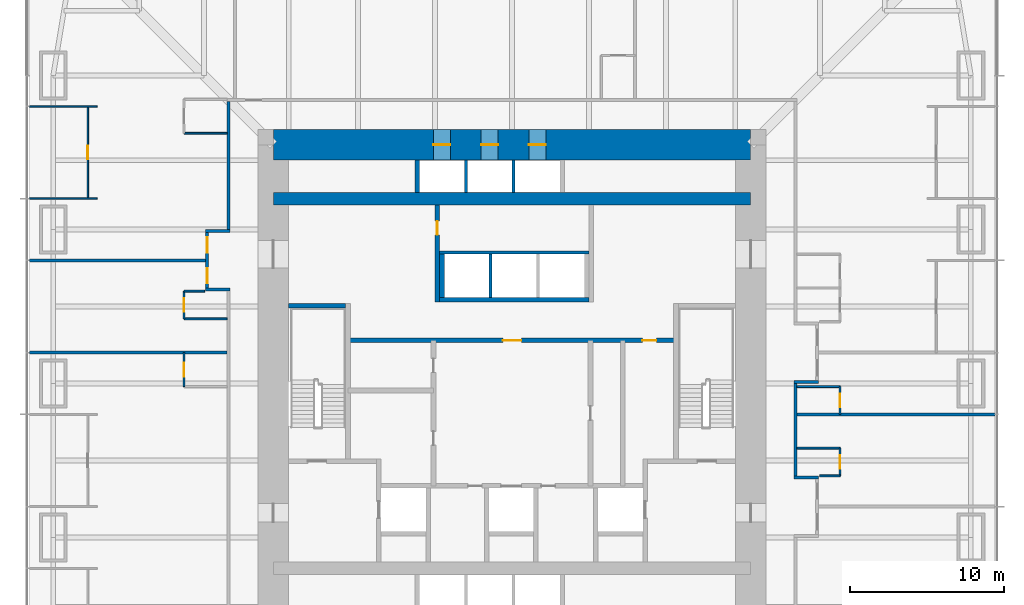
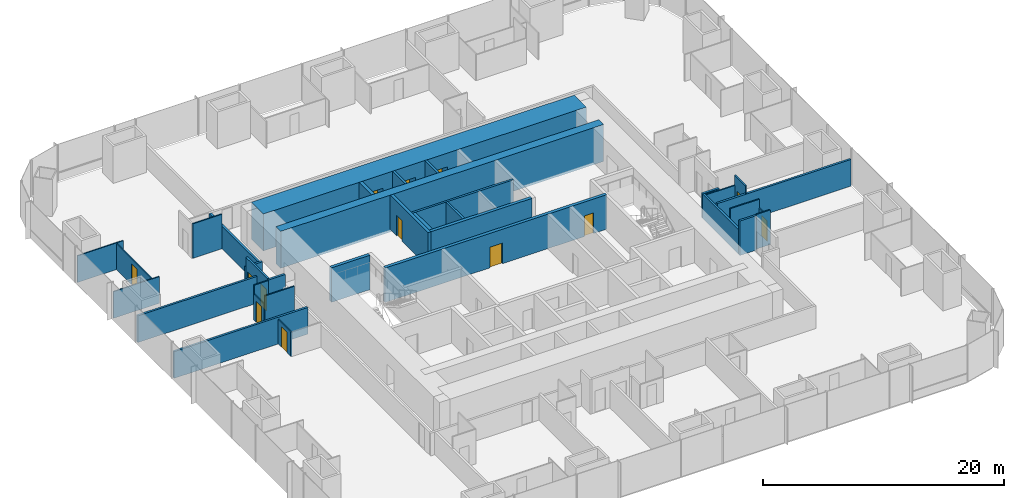
# One storey, part 14 of 17: 35 walls, 13 doors, 13 openings.
"""IFC4 building model written with IfcOpenShell, lengths in metres."""

import ifcopenshell
import ifcopenshell.guid

model = None  # the IFC model being written
_history = None  # IfcOwnerHistory: only IFC2X3 demands one
_inside = {}  # id of a spatial element -> (the spatial element, [elements in it])
_under = {}  # id of a project, library or spatial element -> (it, [spatial elements below it])
_declared = {}  # id of a project -> (the project, [libraries it declares])
_typed = {}  # id of a type object -> (the type object, [elements of that type])
_made_of = {}  # id of a material, layer set ... -> (it, [elements and type objects made of it])


def new_model(schema):
    """Start an empty IFC model of exactly this schema.

    Asked for "IFC4X3", IfcOpenShell would pick the latest addendum, in which some entities
    have other attributes; the version numbers below select the first issue.
    IFC2X3 requires an IfcOwnerHistory on every rooted entity: one is made here for all.
    """
    global model, _history
    if schema == "IFC4X3":
        model = ifcopenshell.file(schema_version=(4, 3, 0, 0))
    else:
        model = ifcopenshell.file(schema=schema)
    _inside.clear()
    _under.clear()
    _declared.clear()
    _typed.clear()
    _made_of.clear()
    _history = None
    if model.schema == "IFC2X3":
        org = make("IfcOrganization", Name="unknown")
        user = make(
            "IfcPersonAndOrganization",
            ThePerson=make("IfcPerson", FamilyName="unknown"),
            TheOrganization=org,
        )
        app = make(
            "IfcApplication",
            ApplicationDeveloper=org,
            Version="unknown",
            ApplicationFullName="unknown",
            ApplicationIdentifier="unknown",
        )
        _history = make(
            "IfcOwnerHistory",
            OwningUser=user,
            OwningApplication=app,
            ChangeAction="ADDED",
            CreationDate=0,
        )
    return model


def make(cls, **values):
    """One entity of the class cls with the attributes given. An attribute that is None is left unset."""
    return model.create_entity(
        cls, **{name: value for name, value in values.items() if value is not None}
    )


def rooted(cls, **values):
    """An entity with a GlobalId (a new one), such as an element, a storey or a relation."""
    return make(cls, GlobalId=ifcopenshell.guid.new(), OwnerHistory=_history, **values)


def si_unit(unit_type, name, prefix=None):
    """IfcSIUnit, for example si_unit("LENGTHUNIT", "METRE", prefix="MILLI")."""
    return make("IfcSIUnit", UnitType=unit_type, Prefix=prefix, Name=name)


def assignment(units):
    """IfcUnitAssignment: the units of a project."""
    return None if units is None else make("IfcUnitAssignment", Units=units)


def point(xyz):
    """IfcCartesianPoint."""
    return None if xyz is None else make("IfcCartesianPoint", Coordinates=xyz)


def direction(xyz):
    """IfcDirection."""
    return None if xyz is None else make("IfcDirection", DirectionRatios=xyz)


def frame(location, z_axis=None, x_axis=None):
    """IfcAxis2Placement3D, a coordinate frame: its origin and axes. An axis left out is left unset."""
    return make(
        "IfcAxis2Placement3D",
        Location=point(location),
        Axis=direction(z_axis),
        RefDirection=direction(x_axis),
    )


def frame_2d(location, x_axis=None):
    """IfcAxis2Placement2D, a coordinate frame in the plane: its origin and x axis."""
    return make(
        "IfcAxis2Placement2D", Location=point(location), RefDirection=direction(x_axis)
    )


def origin():
    """The frame at (0, 0, 0) with its axes left unset."""
    return frame((0.0, 0.0, 0.0))


def place(relative_to, where):
    """IfcLocalPlacement: puts the frame where relative to a parent placement (None: the world)."""
    return make(
        "IfcLocalPlacement", PlacementRelTo=relative_to, RelativePlacement=where
    )


def context(
    kind, dimensions, precision=None, world=None, true_north=None, identifier=None
):
    """IfcGeometricRepresentationContext, for example the 3D "Model" context."""
    return make(
        "IfcGeometricRepresentationContext",
        ContextIdentifier=identifier,
        ContextType=kind,
        CoordinateSpaceDimension=dimensions,
        Precision=precision,
        WorldCoordinateSystem=world,
        TrueNorth=true_north,
    )


def subcontext(parent, identifier, kind, view, scale=None):
    """IfcGeometricRepresentationSubContext, for example "Body" below "Model"."""
    return make(
        "IfcGeometricRepresentationSubContext",
        ContextIdentifier=identifier,
        ContextType=kind,
        ParentContext=parent,
        TargetScale=scale,
        TargetView=view,
    )


def project(units=None, contexts=None):
    """IfcProject with its units and contexts."""
    return rooted(
        "IfcProject",
        Name="project",
        RepresentationContexts=contexts,
        UnitsInContext=assignment(units),
    )


def spatial(cls, under=None, at=None, **own):
    """A site, building, storey or space (cls), placed at a placement, below another one or the project."""
    s = rooted(cls, ObjectPlacement=at, **own)
    if under is not None:
        _under.setdefault(under.id(), (under, []))[1].append(s)
    return s


def profile(cls, at=None, kind="AREA", **sizes):
    """A parametric profile (cls). Its sizes go by their IFC names, for example OverallWidth=200.0."""
    return make(cls, ProfileType=kind, Position=at, **sizes)


def rectangle(**sizes):
    """IfcRectangleProfileDef."""
    return profile("IfcRectangleProfileDef", **sizes)


def extrude(swept, where, along, depth):
    """IfcExtrudedAreaSolid: the profile swept, set in the frame where, extruded along a direction by depth."""
    return make(
        "IfcExtrudedAreaSolid",
        SweptArea=swept,
        Position=where,
        ExtrudedDirection=direction(along),
        Depth=depth,
    )


def shape(context_of_items, identifier, shape_type, items):
    """IfcShapeRepresentation: the items that make up one representation, for example the "Body"."""
    return make(
        "IfcShapeRepresentation",
        ContextOfItems=context_of_items,
        RepresentationIdentifier=identifier,
        RepresentationType=shape_type,
        Items=items,
    )


def material(Name=None, Category=None):
    """IfcMaterial."""
    return make("IfcMaterial", Name=Name, Category=Category)


def layer(
    of_material, thickness, ventilated=None, Name=None, Category=None, Priority=None
):
    """IfcMaterialLayer: one layer of a wall or slab, of a material (None: an air gap)."""
    return make(
        "IfcMaterialLayer",
        Material=of_material,
        LayerThickness=thickness,
        IsVentilated=ventilated,
        Name=Name,
        Category=Category,
        Priority=Priority,
    )


def layer_set(layers, Name=None):
    """IfcMaterialLayerSet."""
    return make("IfcMaterialLayerSet", MaterialLayers=layers, LayerSetName=Name)


def made_of(thing, what):
    """Note that an element or type object is made of a material, layer set ...; save() writes the relation."""
    if what is not None:
        _made_of.setdefault(what.id(), (what, []))[1].append(thing)
    return thing


def type_object(cls, material=None, **own):
    """A type object (cls), such as IfcWallType, which elements share."""
    return made_of(rooted(cls, **own), material)


def element(
    cls,
    number,
    at=None,
    inside=None,
    cuts=None,
    type_object=None,
    material=None,
    context=None,
    identifier="Body",
    shape_type=None,
    held_by="IfcProductDefinitionShape",
    body=None,
    shapes=None,
    **own,
):
    """One element of the class cls, such as IfcWall. Its Tag is "e" and its number.

    at: its placement. inside: the storey or other place that contains it. cuts: it is an
    opening in that element (IfcRelVoidsElement). A single representation is given by context,
    identifier, shape_type and body (its items); several are given by shapes. held_by: the class
    of the entity that holds the representations. save() writes the other relations.
    """
    e = rooted(cls, Tag="e%d" % number, ObjectPlacement=at, **own)
    if body is not None:
        shapes = [shape(context, identifier, shape_type, body)]
    if shapes is not None:
        e.Representation = make(held_by, Representations=shapes)
    if inside is not None:
        _inside.setdefault(inside.id(), (inside, []))[1].append(e)
    if cuts is not None:
        rooted(
            "IfcRelVoidsElement", RelatingBuildingElement=cuts, RelatedOpeningElement=e
        )
    if type_object is not None:
        _typed.setdefault(type_object.id(), (type_object, []))[1].append(e)
    return made_of(e, material)


def fill(opening, filler):
    """IfcRelFillsElement: the door or window that sits in an opening."""
    return rooted(
        "IfcRelFillsElement",
        RelatingOpeningElement=opening,
        RelatedBuildingElement=filler,
    )


def aggregate(whole, parts):
    """IfcRelAggregates: a whole, such as a stair, and the parts it consists of."""
    return rooted("IfcRelAggregates", RelatingObject=whole, RelatedObjects=parts)


def save(model, path):
    """Write the relations noted so far, then the file.

    IfcRelAggregates (storeys below a building ...), IfcRelContainedInSpatialStructure (elements
    in a storey), IfcRelDefinesByType, IfcRelAssociatesMaterial and IfcRelDeclares: one each for
    every whole, place, type object, material and project.
    """
    for whole, parts in _under.values():
        aggregate(whole, parts)
    for where, things in _inside.values():
        rooted(
            "IfcRelContainedInSpatialStructure",
            RelatedElements=things,
            RelatingStructure=where,
        )
    for kind, things in _typed.values():
        rooted("IfcRelDefinesByType", RelatedObjects=things, RelatingType=kind)
    for what, things in _made_of.values():
        rooted("IfcRelAssociatesMaterial", RelatedObjects=things, RelatingMaterial=what)
    for by, libraries in _declared.values():
        rooted("IfcRelDeclares", RelatingContext=by, RelatedDefinitions=libraries)
    model.write(path)


model = new_model("IFC4")

# Units and contexts
model_context = context("Model", 3, precision=1e-05, world=origin(), true_north=direction((0.0, 1.0)))
body_context = subcontext(model_context, "Body", "Model", "MODEL_VIEW")
ifc_project = project(units=[si_unit("LENGTHUNIT", "METRE"), si_unit("AREAUNIT", "SQUARE_METRE"), si_unit("VOLUMEUNIT", "CUBIC_METRE"), si_unit("PLANEANGLEUNIT", "RADIAN"), si_unit("MASSUNIT", "GRAM", prefix="KILO")], contexts=[model_context])

# Site, building, storey
site_placement = place(None, origin())
site = spatial("IfcSite", under=ifc_project, at=site_placement, CompositionType="ELEMENT")
building_placement = place(site_placement, origin())
building = spatial("IfcBuilding", under=site, at=building_placement, Name="Khuree Lantern Residences", CompositionType="ELEMENT")
storey_placement = place(building_placement, frame((0.0, 0.0, 58.5)))
storey = spatial("IfcBuildingStorey", under=building, at=storey_placement, Name="L14", CompositionType="ELEMENT", Elevation=58.5)

# Wall, opening, door
ifc_material_1 = material(Name="Moisture-resistant gypsum board on steel studs", Category="steel")
ifc_layer_1 = layer(ifc_material_1, 0.125)
ifc_layer_set_1 = layer_set([ifc_layer_1], Name="BATHROOM WALL BTW125")
wall_type_1 = type_object("IfcWallType", Name="BATHROOM WALL BTW125", PredefinedType="PARTITIONING", material=ifc_layer_set_1)
wall_1_placement = place(storey_placement, frame((21.300048828125, -6.0, 0.0), z_axis=(0.0, 0.0, 1.0), x_axis=(0.0, 1.0, 0.0)))
wall_1 = element("IfcWall", 1, at=wall_1_placement, inside=storey, type_object=wall_type_1, Name="L14 BATHROOM WALL 01", PredefinedType="PARTITIONING", context=body_context, shape_type="SweptSolid", body=[
    extrude(rectangle(XDim=1.800048828125, YDim=0.125, at=frame_2d((0.89990234375, 0.0))), origin(), (0.0, 0.0, 1.0), 2.610107421875),
])
opening_1_placement = place(wall_1_placement, frame((0.449951171875, 0.0, 0.0)))
opening_1 = element("IfcOpeningElement", 2, at=opening_1_placement, cuts=wall_1, Name="Opening 14-021", PredefinedType="OPENING", context=body_context, shape_type="SweptSolid", body=[
    extrude(rectangle(XDim=0.89990234375, YDim=2.10009765625, at=frame_2d((0.449951171875, 1.050048828125))), frame((0.0, 0.072509765625, 0.0), z_axis=(0.0, -1.0, 0.0), x_axis=(1.0, 0.0, 0.0)), (0.0, 0.0, 1.0), 0.14501953125),
])
ifc_material_2 = material(Name="Timber door leaf in hardwood frame", Category="wood")
door_type_1 = type_object("IfcDoorType", Name="BATHROOM DOOR 900X2100", OperationType="SINGLE_SWING_LEFT", PredefinedType="DOOR", material=ifc_material_2)
door_1_placement = place(opening_1_placement, origin())
door_1 = element("IfcDoor", 3, at=door_1_placement, inside=storey, type_object=door_type_1, Name="Bathroom door 14-021", OperationType="SINGLE_SWING_LEFT", OverallHeight=2.10009765625, OverallWidth=0.89990234375, PredefinedType="DOOR", context=body_context, shape_type="SweptSolid", body=[
    extrude(rectangle(XDim=0.89990234375, YDim=2.10009765625, at=frame_2d((0.449951171875, 1.050048828125))), frame((0.0, 0.02490234375, 0.0), z_axis=(0.0, -1.0, 0.0), x_axis=(1.0, 0.0, 0.0)), (0.0, 0.0, 1.0), 0.050048828125),
])
fill(opening_1, door_1)

# Walls
wall_2_placement = place(storey_placement, frame((19.969970703125, -6.0, 0.0), z_axis=(0.0, 0.0, 1.0), x_axis=(1.0, 0.0, 0.0)))
element("IfcWall", 4, at=wall_2_placement, inside=storey, type_object=wall_type_1, Name="L14 BATHROOM WALL 01", PredefinedType="PARTITIONING", context=body_context, shape_type="SweptSolid", body=[
    extrude(rectangle(XDim=1.330078125, YDim=0.125, at=frame_2d((0.6650390625, 0.0))), origin(), (0.0, 0.0, 1.0), 3.5),
])
wall_3_placement = place(storey_placement, frame((18.5, -4.199951171875, 0.0), z_axis=(0.0, 0.0, 1.0), x_axis=(1.0, 0.0, 0.0)))
element("IfcWall", 5, at=wall_3_placement, inside=storey, type_object=wall_type_1, Name="L14 BATHROOM WALL 01", PredefinedType="PARTITIONING", context=body_context, shape_type="SweptSolid", body=[
    extrude(rectangle(XDim=2.800048828125, YDim=0.125, at=frame_2d((1.39990234375, 0.0))), origin(), (0.0, 0.0, 1.0), 3.5),
])

# Wall, opening, door
wall_4_placement = place(storey_placement, frame((21.300048828125, -2.0, 0.0), z_axis=(0.0, 0.0, 1.0), x_axis=(0.0, 1.0, 0.0)))
wall_4 = element("IfcWall", 6, at=wall_4_placement, inside=storey, type_object=wall_type_1, Name="L14 BATHROOM WALL 02", PredefinedType="PARTITIONING", context=body_context, shape_type="SweptSolid", body=[
    extrude(rectangle(XDim=1.800048828125, YDim=0.125, at=frame_2d((0.89990234375, 0.0))), origin(), (0.0, 0.0, 1.0), 3.5),
])
opening_2_placement = place(wall_4_placement, frame((0.449951171875, 0.0, 0.0)))
opening_2 = element("IfcOpeningElement", 7, at=opening_2_placement, cuts=wall_4, Name="Opening 14-023", PredefinedType="OPENING", context=body_context, shape_type="SweptSolid", body=[
    extrude(rectangle(XDim=0.89990234375, YDim=2.10009765625, at=frame_2d((0.449951171875, 1.050048828125))), frame((0.0, 0.072509765625, 0.0), z_axis=(0.0, -1.0, 0.0), x_axis=(1.0, 0.0, 0.0)), (0.0, 0.0, 1.0), 0.14501953125),
])
door_2_placement = place(opening_2_placement, origin())
door_2 = element("IfcDoor", 8, at=door_2_placement, inside=storey, type_object=door_type_1, Name="Bathroom door 14-023", OperationType="SINGLE_SWING_LEFT", OverallHeight=2.10009765625, OverallWidth=0.89990234375, PredefinedType="DOOR", context=body_context, shape_type="SweptSolid", body=[
    extrude(rectangle(XDim=0.89990234375, YDim=2.10009765625, at=frame_2d((0.449951171875, 1.050048828125))), frame((0.0, 0.02490234375, 0.0), z_axis=(0.0, -1.0, 0.0), x_axis=(1.0, 0.0, 0.0)), (0.0, 0.0, 1.0), 0.050048828125),
])
fill(opening_2, door_2)

# Walls
wall_5_placement = place(storey_placement, frame((18.5, -0.199951171875, 0.0), z_axis=(0.0, 0.0, 1.0), x_axis=(1.0, 0.0, 0.0)))
element("IfcWall", 9, at=wall_5_placement, inside=storey, type_object=wall_type_1, Name="L14 BATHROOM WALL 02", PredefinedType="PARTITIONING", context=body_context, shape_type="SweptSolid", body=[
    extrude(rectangle(XDim=2.800048828125, YDim=0.125, at=frame_2d((1.39990234375, 0.0))), origin(), (0.0, 0.0, 1.0), 2.491943359375),
])
wall_6_placement = place(storey_placement, frame((-18.5, 16.25, 0.0), z_axis=(0.0, 0.0, 1.0), x_axis=(-1.0, 0.0, 0.0)))
element("IfcWall", 10, at=wall_6_placement, inside=storey, type_object=wall_type_1, Name="L14 BATHROOM WALL 05", PredefinedType="PARTITIONING", context=body_context, shape_type="SweptSolid", body=[
    extrude(rectangle(XDim=2.800048828125, YDim=0.125, at=frame_2d((1.39990234375, 0.0))), origin(), (0.0, 0.0, 1.0), 3.5),
])

# Wall, opening, door
wall_7_placement = place(storey_placement, frame((-21.300048828125, 6.0, 0.0), z_axis=(0.0, 0.0, 1.0), x_axis=(0.0, -1.0, 0.0)))
wall_7 = element("IfcWall", 11, at=wall_7_placement, inside=storey, type_object=wall_type_1, Name="L14 BATHROOM WALL 06", PredefinedType="PARTITIONING", context=body_context, shape_type="SweptSolid", body=[
    extrude(rectangle(XDim=1.800048828125, YDim=0.125, at=frame_2d((0.89990234375, 0.0))), origin(), (0.0, 0.0, 1.0), 2.610107421875),
])
opening_3_placement = place(wall_7_placement, frame((0.449951171875, 0.0, 0.0)))
opening_3 = element("IfcOpeningElement", 12, at=opening_3_placement, cuts=wall_7, Name="Opening 14-039", PredefinedType="OPENING", context=body_context, shape_type="SweptSolid", body=[
    extrude(rectangle(XDim=0.89990234375, YDim=2.10009765625, at=frame_2d((0.449951171875, 1.050048828125))), frame((0.0, 0.072509765625, 0.0), z_axis=(0.0, -1.0, 0.0), x_axis=(1.0, 0.0, 0.0)), (0.0, 0.0, 1.0), 0.14501953125),
])
door_3_placement = place(opening_3_placement, origin())
door_3 = element("IfcDoor", 13, at=door_3_placement, inside=storey, type_object=door_type_1, Name="Bathroom door 14-039", OperationType="SINGLE_SWING_LEFT", OverallHeight=2.10009765625, OverallWidth=0.89990234375, PredefinedType="DOOR", context=body_context, shape_type="SweptSolid", body=[
    extrude(rectangle(XDim=0.89990234375, YDim=2.10009765625, at=frame_2d((0.449951171875, 1.050048828125))), frame((0.0, 0.02490234375, 0.0), z_axis=(0.0, -1.0, 0.0), x_axis=(1.0, 0.0, 0.0)), (0.0, 0.0, 1.0), 0.050048828125),
])
fill(opening_3, door_3)

# Walls
wall_8_placement = place(storey_placement, frame((-19.969970703125, 6.0, 0.0), z_axis=(0.0, 0.0, 1.0), x_axis=(-1.0, 0.0, 0.0)))
element("IfcWall", 14, at=wall_8_placement, inside=storey, type_object=wall_type_1, Name="L14 BATHROOM WALL 06", PredefinedType="PARTITIONING", context=body_context, shape_type="SweptSolid", body=[
    extrude(rectangle(XDim=1.330078125, YDim=0.125, at=frame_2d((0.6650390625, 0.0))), origin(), (0.0, 0.0, 1.0), 3.5),
])
wall_9_placement = place(storey_placement, frame((-18.5, 4.199951171875, 0.0), z_axis=(0.0, 0.0, 1.0), x_axis=(-1.0, 0.0, 0.0)))
element("IfcWall", 15, at=wall_9_placement, inside=storey, type_object=wall_type_1, Name="L14 BATHROOM WALL 06", PredefinedType="PARTITIONING", context=body_context, shape_type="SweptSolid", body=[
    extrude(rectangle(XDim=2.800048828125, YDim=0.125, at=frame_2d((1.39990234375, 0.0))), origin(), (0.0, 0.0, 1.0), 3.5),
])

# Wall, opening, door
wall_10_placement = place(storey_placement, frame((-21.300048828125, 2.0, 0.0), z_axis=(0.0, 0.0, 1.0), x_axis=(0.0, -1.0, 0.0)))
wall_10 = element("IfcWall", 16, at=wall_10_placement, inside=storey, type_object=wall_type_1, Name="L14 BATHROOM WALL 07", PredefinedType="PARTITIONING", context=body_context, shape_type="SweptSolid", body=[
    extrude(rectangle(XDim=2.199951171875, YDim=0.125, at=frame_2d((1.10009765625, 0.0))), origin(), (0.0, 0.0, 1.0), 2.491943359375),
])
opening_4_placement = place(wall_10_placement, frame((0.64990234375, 0.0, 0.0)))
opening_4 = element("IfcOpeningElement", 17, at=opening_4_placement, cuts=wall_10, Name="Opening 14-043", PredefinedType="OPENING", context=body_context, shape_type="SweptSolid", body=[
    extrude(rectangle(XDim=0.89990234375, YDim=2.10009765625, at=frame_2d((0.449951171875, 1.050048828125))), frame((0.0, 0.072509765625, 0.0), z_axis=(0.0, -1.0, 0.0), x_axis=(1.0, 0.0, 0.0)), (0.0, 0.0, 1.0), 0.14501953125),
])
door_4_placement = place(opening_4_placement, origin())
door_4 = element("IfcDoor", 18, at=door_4_placement, inside=storey, type_object=door_type_1, Name="Bathroom door 14-043", OperationType="SINGLE_SWING_LEFT", OverallHeight=2.10009765625, OverallWidth=0.89990234375, PredefinedType="DOOR", context=body_context, shape_type="SweptSolid", body=[
    extrude(rectangle(XDim=0.89990234375, YDim=2.10009765625, at=frame_2d((0.449951171875, 1.050048828125))), frame((0.0, 0.02490234375, 0.0), z_axis=(0.0, -1.0, 0.0), x_axis=(1.0, 0.0, 0.0)), (0.0, 0.0, 1.0), 0.050048828125),
])
fill(opening_4, door_4)

# Walls
ifc_material_3 = material(Name="Dense concrete blockwork", Category="masonry")
ifc_layer_2 = layer(ifc_material_3, 0.300048828125)
ifc_layer_set_2 = layer_set([ifc_layer_2], Name="CORE PARTITION WALL CPW300 EI 120")
wall_type_2 = type_object("IfcWallType", Name="CORE PARTITION WALL CPW300 EI 120", PredefinedType="PARTITIONING", material=ifc_layer_set_2)
wall_11_placement = place(storey_placement, frame((-4.699951171875, 5.449951171875, 0.0), z_axis=(0.0, 0.0, 1.0), x_axis=(1.0, 0.0, 0.0)))
element("IfcWall", 19, at=wall_11_placement, inside=storey, type_object=wall_type_2, Name="L14 CORE WALL PHS", PredefinedType="PARTITIONING", context=body_context, shape_type="SweptSolid", body=[
    extrude(rectangle(XDim=9.699951171875, YDim=0.300048828125, at=frame_2d((4.85009765625, 0.0))), origin(), (0.0, 0.0, 1.0), 3.5),
])
wall_12_placement = place(storey_placement, frame((-4.550048828125, 5.60009765625, 0.0), z_axis=(0.0, 0.0, 1.0), x_axis=(0.0, 1.0, 0.0)))
element("IfcWall", 20, at=wall_12_placement, inside=storey, type_object=wall_type_2, Name="L14 CORE WALL PHW", PredefinedType="PARTITIONING", context=body_context, shape_type="SweptSolid", body=[
    extrude(rectangle(XDim=2.7998046875, YDim=0.300048828125, at=frame_2d((1.39990234375, 0.0))), origin(), (0.0, 0.0, 1.0), 3.5),
])
wall_13_placement = place(storey_placement, frame((-6.14990234375, 12.39990234375, 0.0), z_axis=(0.0, 0.0, 1.0), x_axis=(0.0, 1.0, 0.0)))
element("IfcWall", 21, at=wall_13_placement, inside=storey, type_object=wall_type_2, Name="L14 CORE WALL PLW", PredefinedType="PARTITIONING", context=body_context, shape_type="SweptSolid", body=[
    extrude(rectangle(XDim=2.10009765625, YDim=0.300048828125, at=frame_2d((1.050048828125, 0.0))), origin(), (0.0, 0.0, 1.0), 3.5),
])

# Wall, openings, doors
wall_14_placement = place(storey_placement, frame((-10.64990234375, 2.800048828125, 0.0), z_axis=(0.0, 0.0, 1.0), x_axis=(1.0, 0.0, 0.0)))
wall_14 = element("IfcWall", 22, at=wall_14_placement, inside=storey, type_object=wall_type_2, Name="L14 CORE WALL LLS", PredefinedType="PARTITIONING", context=body_context, shape_type="SweptSolid", body=[
    extrude(rectangle(XDim=21.2998046875, YDim=0.300048828125, at=frame_2d((10.64990234375, 0.0))), origin(), (0.0, 0.0, 1.0), 3.5),
])
opening_5_placement = place(wall_14_placement, frame((10.050048828125, 0.0, 0.0)))
opening_5 = element("IfcOpeningElement", 23, at=opening_5_placement, cuts=wall_14, Name="Opening 14-013", PredefinedType="OPENING", context=body_context, shape_type="SweptSolid", body=[
    extrude(rectangle(XDim=1.199951171875, YDim=2.10009765625, at=frame_2d((0.60009765625, 1.050048828125))), frame((0.0, 0.16015625, 0.0), z_axis=(0.0, -1.0, 0.0), x_axis=(1.0, 0.0, 0.0)), (0.0, 0.0, 1.0), 0.320068359375),
])
opening_6_placement = place(wall_14_placement, frame((19.12109375, 0.0, 0.0)))
opening_6 = element("IfcOpeningElement", 24, at=opening_6_placement, cuts=wall_14, Name="Opening 14-019", PredefinedType="OPENING", context=body_context, shape_type="SweptSolid", body=[
    extrude(rectangle(XDim=0.89990234375, YDim=2.10009765625, at=frame_2d((0.449951171875, 1.050048828125))), frame((0.0, 0.16015625, 0.0), z_axis=(0.0, -1.0, 0.0), x_axis=(1.0, 0.0, 0.0)), (0.0, 0.0, 1.0), 0.320068359375),
])
ifc_material_4 = material(Name="Steel door leaf in steel frame", Category="steel")
door_type_2 = type_object("IfcDoorType", Name="DOOR 1200X2100 EI 60", OperationType="SINGLE_SWING_LEFT", PredefinedType="DOOR", material=ifc_material_4)
door_5_placement = place(opening_5_placement, origin())
door_5 = element("IfcDoor", 25, at=door_5_placement, inside=storey, type_object=door_type_2, Name="Service lift lobby door 14-013", OperationType="SINGLE_SWING_LEFT", OverallHeight=2.10009765625, OverallWidth=1.199951171875, PredefinedType="DOOR", context=body_context, shape_type="SweptSolid", body=[
    extrude(rectangle(XDim=1.199951171875, YDim=2.10009765625, at=frame_2d((0.60009765625, 1.050048828125))), frame((0.0, 0.02490234375, 0.0), z_axis=(0.0, -1.0, 0.0), x_axis=(1.0, 0.0, 0.0)), (0.0, 0.0, 1.0), 0.050048828125),
])
fill(opening_5, door_5)
door_type_3 = type_object("IfcDoorType", Name="DOOR 900X2100 RIGHT HAND", OperationType="SINGLE_SWING_RIGHT", PredefinedType="DOOR", material=ifc_material_2)
door_6_placement = place(opening_6_placement, origin())
door_6 = element("IfcDoor", 26, at=door_6_placement, inside=storey, type_object=door_type_3, Name="Residents' store door 14-019", OperationType="SINGLE_SWING_RIGHT", OverallHeight=2.10009765625, OverallWidth=0.89990234375, PredefinedType="DOOR", context=body_context, shape_type="SweptSolid", body=[
    extrude(rectangle(XDim=0.89990234375, YDim=2.10009765625, at=frame_2d((0.449951171875, 1.050048828125))), frame((0.0, 0.02490234375, 0.0), z_axis=(0.0, -1.0, 0.0), x_axis=(1.0, 0.0, 0.0)), (0.0, 0.0, 1.0), 0.050048828125),
])
fill(opening_6, door_6)

# Wall, opening, door
wall_15_placement = place(storey_placement, frame((-4.85009765625, 5.300048828125, 0.0), z_axis=(0.0, 0.0, 1.0), x_axis=(0.0, 1.0, 0.0)))
wall_15 = element("IfcWall", 27, at=wall_15_placement, inside=storey, type_object=wall_type_2, Name="L14 CORE WALL NW", PredefinedType="PARTITIONING", context=body_context, shape_type="SweptSolid", body=[
    extrude(rectangle(XDim=6.300048828125, YDim=0.300048828125, at=frame_2d((3.14990234375, 0.0))), origin(), (0.0, 0.0, 1.0), 3.5),
])
opening_7_placement = place(wall_15_placement, frame((4.35009765625, 0.0, 0.0)))
opening_7 = element("IfcOpeningElement", 28, at=opening_7_placement, cuts=wall_15, Name="Opening 14-020", PredefinedType="OPENING", context=body_context, shape_type="SweptSolid", body=[
    extrude(rectangle(XDim=0.89990234375, YDim=2.10009765625, at=frame_2d((0.449951171875, 1.050048828125))), frame((0.0, 0.16015625, 0.0), z_axis=(0.0, -1.0, 0.0), x_axis=(1.0, 0.0, 0.0)), (0.0, 0.0, 1.0), 0.320068359375),
])
door_7_placement = place(opening_7_placement, origin())
door_7 = element("IfcDoor", 29, at=door_7_placement, inside=storey, type_object=door_type_3, Name="Residents' store door 14-020", OperationType="SINGLE_SWING_RIGHT", OverallHeight=2.10009765625, OverallWidth=0.89990234375, PredefinedType="DOOR", context=body_context, shape_type="SweptSolid", body=[
    extrude(rectangle(XDim=0.89990234375, YDim=2.10009765625, at=frame_2d((0.449951171875, 1.050048828125))), frame((0.0, 0.02490234375, 0.0), z_axis=(0.0, -1.0, 0.0), x_axis=(1.0, 0.0, 0.0)), (0.0, 0.0, 1.0), 0.050048828125),
])
fill(opening_7, door_7)

# Walls
ifc_material_5 = material(Name="Gypsum board on steel studs", Category="steel")
ifc_layer_3 = layer(ifc_material_5, 0.199951171875)
ifc_layer_set_3 = layer_set([ifc_layer_3], Name="CORRIDOR WALL CRW200 EI 60")
wall_type_3 = type_object("IfcWallType", Name="CORRIDOR WALL CRW200 EI 60", PredefinedType="PARTITIONING", material=ifc_layer_set_3)
wall_16_placement = place(storey_placement, frame((18.300048828125, -6.10009765625, 0.0), z_axis=(0.0, 0.0, 1.0), x_axis=(1.0, 0.0, 0.0)))
element("IfcWall", 30, at=wall_16_placement, inside=storey, type_object=wall_type_3, Name="L14 CORRIDOR ALCOVE WALL EAST", PredefinedType="PARTITIONING", context=body_context, shape_type="SweptSolid", body=[
    extrude(rectangle(XDim=1.599853515625, YDim=0.199951171875, at=frame_2d((0.7998046875, 0.0))), origin(), (0.0, 0.0, 1.0), 3.5),
])
wall_17_placement = place(storey_placement, frame((18.39990234375, -6.0, 0.0), z_axis=(0.0, 0.0, 1.0), x_axis=(0.0, 1.0, 0.0)))
element("IfcWall", 31, at=wall_17_placement, inside=storey, type_object=wall_type_3, Name="L14 CORRIDOR WALL EAST 2", PredefinedType="PARTITIONING", context=body_context, shape_type="SweptSolid", body=[
    extrude(rectangle(XDim=6.0, YDim=0.199951171875, at=frame_2d((3.0, 0.0))), origin(), (0.0, 0.0, 1.0), 2.491943359375),
])
wall_18_placement = place(storey_placement, frame((18.300048828125, 0.10009765625, 0.0), z_axis=(0.0, 0.0, 1.0), x_axis=(1.0, 0.0, 0.0)))
element("IfcWall", 32, at=wall_18_placement, inside=storey, type_object=wall_type_3, Name="L14 CORRIDOR ALCOVE WALL EAST", PredefinedType="PARTITIONING", context=body_context, shape_type="SweptSolid", body=[
    extrude(rectangle(XDim=1.599853515625, YDim=0.199951171875, at=frame_2d((0.7998046875, 0.0))), origin(), (0.0, 0.0, 1.0), 2.491943359375),
])
wall_19_placement = place(storey_placement, frame((-18.39990234375, 18.300048828125, 0.0), z_axis=(0.0, 0.0, 1.0), x_axis=(0.0, -1.0, 0.0)))
element("IfcWall", 33, at=wall_19_placement, inside=storey, type_object=wall_type_3, Name="L14 CORRIDOR WALL WEST 1", PredefinedType="PARTITIONING", context=body_context, shape_type="SweptSolid", body=[
    extrude(rectangle(XDim=8.300048828125, YDim=0.199951171875, at=frame_2d((4.14990234375, 0.0))), origin(), (0.0, 0.0, 1.0), 2.300048828125),
])
wall_20_placement = place(storey_placement, frame((-18.300048828125, 9.89990234375, 0.0), z_axis=(0.0, 0.0, 1.0), x_axis=(-1.0, 0.0, 0.0)))
element("IfcWall", 34, at=wall_20_placement, inside=storey, type_object=wall_type_3, Name="L14 CORRIDOR ALCOVE WALL WEST", PredefinedType="PARTITIONING", context=body_context, shape_type="SweptSolid", body=[
    extrude(rectangle(XDim=1.599853515625, YDim=0.199951171875, at=frame_2d((0.7998046875, 0.0))), origin(), (0.0, 0.0, 1.0), 2.491943359375),
])
wall_21_placement = place(storey_placement, frame((-18.300048828125, 6.10009765625, 0.0), z_axis=(0.0, 0.0, 1.0), x_axis=(-1.0, 0.0, 0.0)))
element("IfcWall", 35, at=wall_21_placement, inside=storey, type_object=wall_type_3, Name="L14 CORRIDOR ALCOVE WALL WEST", PredefinedType="PARTITIONING", context=body_context, shape_type="SweptSolid", body=[
    extrude(rectangle(XDim=1.599853515625, YDim=0.199951171875, at=frame_2d((0.7998046875, 0.0))), origin(), (0.0, 0.0, 1.0), 3.5),
])

# Wall, openings, doors
wall_22_placement = place(storey_placement, frame((-19.800048828125, 9.800048828125, 0.0), z_axis=(0.0, 0.0, 1.0), x_axis=(0.0, -1.0, 0.0)))
wall_22 = element("IfcWall", 36, at=wall_22_placement, inside=storey, type_object=wall_type_3, Name="L14 CORRIDOR ALCOVE WALL WEST", PredefinedType="PARTITIONING", context=body_context, shape_type="SweptSolid", body=[
    extrude(rectangle(XDim=3.60009765625, YDim=0.199951171875, at=frame_2d((1.800048828125, 0.0))), origin(), (0.0, 0.0, 1.0), 3.5),
])
opening_8_placement = place(wall_22_placement, frame((0.300048828125, 0.0, 0.0)))
opening_8 = element("IfcOpeningElement", 37, at=opening_8_placement, cuts=wall_22, Name="Opening 14-038", PredefinedType="OPENING", context=body_context, shape_type="SweptSolid", body=[
    extrude(rectangle(XDim=1.0, YDim=2.199951171875, at=frame_2d((0.5, 1.10009765625))), frame((0.0, 0.10986328125, 0.0), z_axis=(0.0, -1.0, 0.0), x_axis=(1.0, 0.0, 0.0)), (0.0, 0.0, 1.0), 0.219970703125),
])
opening_9_placement = place(wall_22_placement, frame((2.300048828125, 0.0, 0.0)))
opening_9 = element("IfcOpeningElement", 38, at=opening_9_placement, cuts=wall_22, Name="Opening 14-040", PredefinedType="OPENING", context=body_context, shape_type="SweptSolid", body=[
    extrude(rectangle(XDim=1.0, YDim=2.199951171875, at=frame_2d((0.5, 1.10009765625))), frame((0.0, 0.10986328125, 0.0), z_axis=(0.0, -1.0, 0.0), x_axis=(1.0, 0.0, 0.0)), (0.0, 0.0, 1.0), 0.219970703125),
])
door_type_4 = type_object("IfcDoorType", Name="APARTMENT ENTRANCE DOOR 1000X2200 EI 30S", OperationType="SINGLE_SWING_LEFT", PredefinedType="DOOR", material=ifc_material_2)
door_8_placement = place(opening_8_placement, origin())
door_8 = element("IfcDoor", 39, at=door_8_placement, inside=storey, type_object=door_type_4, Name="Apartment 05 entrance door 14-038", OperationType="SINGLE_SWING_LEFT", OverallHeight=2.199951171875, OverallWidth=1.0, PredefinedType="DOOR", context=body_context, shape_type="SweptSolid", body=[
    extrude(rectangle(XDim=1.0, YDim=2.199951171875, at=frame_2d((0.5, 1.10009765625))), frame((0.0, 0.02490234375, 0.0), z_axis=(0.0, -1.0, 0.0), x_axis=(1.0, 0.0, 0.0)), (0.0, 0.0, 1.0), 0.050048828125),
])
fill(opening_8, door_8)
door_type_5 = type_object("IfcDoorType", Name="APARTMENT ENTRANCE DOOR 1000X2200 EI 30S RIGHT HAND", OperationType="SINGLE_SWING_RIGHT", PredefinedType="DOOR", material=ifc_material_2)
door_9_placement = place(opening_9_placement, origin())
door_9 = element("IfcDoor", 40, at=door_9_placement, inside=storey, type_object=door_type_5, Name="Apartment 06 entrance door 14-040", OperationType="SINGLE_SWING_RIGHT", OverallHeight=2.199951171875, OverallWidth=1.0, PredefinedType="DOOR", context=body_context, shape_type="SweptSolid", body=[
    extrude(rectangle(XDim=1.0, YDim=2.199951171875, at=frame_2d((0.5, 1.10009765625))), frame((0.0, 0.02490234375, 0.0), z_axis=(0.0, -1.0, 0.0), x_axis=(1.0, 0.0, 0.0)), (0.0, 0.0, 1.0), 0.050048828125),
])
fill(opening_9, door_9)

ifc_material_6 = material(Name="Concrete C70/85", Category="concrete")
ifc_layer_4 = layer(ifc_material_6, 2.0)
ifc_layer_set_4 = layer_set([ifc_layer_4], Name="CW2000-C70 CORE WALL C70 2000")
wall_type_4 = type_object("IfcWallType", Name="CW2000-C70 CORE WALL C70 2000", PredefinedType="SHEAR", material=ifc_layer_set_4)
wall_23_placement = place(storey_placement, frame((-15.5, 15.5, -0.25), z_axis=(0.0, 0.0, 1.0), x_axis=(1.0, 0.0, 0.0)))
wall_23 = element("IfcWall", 41, at=wall_23_placement, inside=storey, type_object=wall_type_4, Name="Core wall N", PredefinedType="SHEAR", context=body_context, shape_type="SweptSolid", body=[
    extrude(rectangle(XDim=31.0, YDim=2.0, at=frame_2d((15.5, 0.0))), origin(), (0.0, 0.0, 1.0), 3.75),
])
opening_10_placement = place(wall_23_placement, frame((10.39990234375, 0.0, 0.25)))
opening_10 = element("IfcOpeningElement", 42, at=opening_10_placement, cuts=wall_23, Name="Opening 14-009", PredefinedType="OPENING", context=body_context, shape_type="SweptSolid", body=[
    extrude(rectangle(XDim=1.10009765625, YDim=2.10009765625, at=frame_2d((0.550048828125, 1.050048828125))), frame((0.0, 1.010009765625, 0.0), z_axis=(0.0, -1.0, 0.0), x_axis=(1.0, 0.0, 0.0)), (0.0, 0.0, 1.0), 2.02001953125),
])
opening_11_placement = place(wall_23_placement, frame((13.5, 0.0, 0.25)))
opening_11 = element("IfcOpeningElement", 43, at=opening_11_placement, cuts=wall_23, Name="Opening 14-010", PredefinedType="OPENING", context=body_context, shape_type="SweptSolid", body=[
    extrude(rectangle(XDim=1.10009765625, YDim=2.10009765625, at=frame_2d((0.550048828125, 1.050048828125))), frame((0.0, 1.010009765625, 0.0), z_axis=(0.0, -1.0, 0.0), x_axis=(1.0, 0.0, 0.0)), (0.0, 0.0, 1.0), 2.02001953125),
])
opening_12_placement = place(wall_23_placement, frame((16.60009765625, 0.0, 0.25)))
opening_12 = element("IfcOpeningElement", 44, at=opening_12_placement, cuts=wall_23, Name="Opening 14-011", PredefinedType="OPENING", context=body_context, shape_type="SweptSolid", body=[
    extrude(rectangle(XDim=1.10009765625, YDim=2.10009765625, at=frame_2d((0.550048828125, 1.050048828125))), frame((0.0, 1.010009765625, 0.0), z_axis=(0.0, -1.0, 0.0), x_axis=(1.0, 0.0, 0.0)), (0.0, 0.0, 1.0), 2.02001953125),
])
ifc_material_7 = material(Name="Stainless steel lift landing door", Category="steel")
door_type_6 = type_object("IfcDoorType", Name="LIFT LANDING DOOR 1100X2100 E 60", OperationType="DOUBLE_DOOR_SLIDING", PredefinedType="DOOR", material=ifc_material_7)
door_10_placement = place(opening_10_placement, origin())
door_10 = element("IfcDoor", 45, at=door_10_placement, inside=storey, type_object=door_type_6, Name="Landing door PL1 14-009", OperationType="DOUBLE_DOOR_SLIDING", OverallHeight=2.10009765625, OverallWidth=1.10009765625, PredefinedType="DOOR", context=body_context, shape_type="SweptSolid", body=[
    extrude(rectangle(XDim=1.10009765625, YDim=2.10009765625, at=frame_2d((0.550048828125, 1.050048828125))), frame((0.0, 0.02490234375, 0.0), z_axis=(0.0, -1.0, 0.0), x_axis=(1.0, 0.0, 0.0)), (0.0, 0.0, 1.0), 0.050048828125),
])
fill(opening_10, door_10)
door_11_placement = place(opening_11_placement, origin())
door_11 = element("IfcDoor", 46, at=door_11_placement, inside=storey, type_object=door_type_6, Name="Landing door PL2 14-010", OperationType="DOUBLE_DOOR_SLIDING", OverallHeight=2.10009765625, OverallWidth=1.10009765625, PredefinedType="DOOR", context=body_context, shape_type="SweptSolid", body=[
    extrude(rectangle(XDim=1.10009765625, YDim=2.10009765625, at=frame_2d((0.550048828125, 1.050048828125))), frame((0.0, 0.02490234375, 0.0), z_axis=(0.0, -1.0, 0.0), x_axis=(1.0, 0.0, 0.0)), (0.0, 0.0, 1.0), 0.050048828125),
])
fill(opening_11, door_11)
door_12_placement = place(opening_12_placement, origin())
door_12 = element("IfcDoor", 47, at=door_12_placement, inside=storey, type_object=door_type_6, Name="Landing door PL3 14-011", OperationType="DOUBLE_DOOR_SLIDING", OverallHeight=2.10009765625, OverallWidth=1.10009765625, PredefinedType="DOOR", context=body_context, shape_type="SweptSolid", body=[
    extrude(rectangle(XDim=1.10009765625, YDim=2.10009765625, at=frame_2d((0.550048828125, 1.050048828125))), frame((0.0, 0.02490234375, 0.0), z_axis=(0.0, -1.0, 0.0), x_axis=(1.0, 0.0, 0.0)), (0.0, 0.0, 1.0), 0.050048828125),
])
fill(opening_12, door_12)

# Walls
ifc_layer_5 = layer(ifc_material_5, 0.199951171875)
ifc_layer_set_5 = layer_set([ifc_layer_5], Name="DEMISING WALL DMW200 EI 90")
wall_type_5 = type_object("IfcWallType", Name="DEMISING WALL DMW200 EI 90", PredefinedType="PARTITIONING", material=ifc_layer_set_5)
wall_24_placement = place(storey_placement, frame((18.5, -2.0, 0.0), z_axis=(0.0, 0.0, 1.0), x_axis=(1.0, 0.0, 0.0)))
element("IfcWall", 48, at=wall_24_placement, inside=storey, type_object=wall_type_5, Name="L14 DEMISING WALL 02", PredefinedType="PARTITIONING", context=body_context, shape_type="SweptSolid", body=[
    extrude(rectangle(XDim=12.85009765625, YDim=0.199951171875, at=frame_2d((6.425048828125, 0.0))), origin(), (0.0, 0.0, 1.0), 2.7099609375),
])
wall_25_placement = place(storey_placement, frame((-19.89990234375, 8.0, 0.0), z_axis=(0.0, 0.0, 1.0), x_axis=(-1.0, 0.0, 0.0)))
element("IfcWall", 49, at=wall_25_placement, inside=storey, type_object=wall_type_5, Name="L14 DEMISING WALL 06", PredefinedType="PARTITIONING", context=body_context, shape_type="SweptSolid", body=[
    extrude(rectangle(XDim=11.4501953125, YDim=0.199951171875, at=frame_2d((5.72509765625, 0.0))), origin(), (0.0, 0.0, 1.0), 2.7099609375),
])
wall_26_placement = place(storey_placement, frame((-18.5, 2.0, 0.0), z_axis=(0.0, 0.0, 1.0), x_axis=(-1.0, 0.0, 0.0)))
element("IfcWall", 50, at=wall_26_placement, inside=storey, type_object=wall_type_5, Name="L14 DEMISING WALL 07", PredefinedType="PARTITIONING", context=body_context, shape_type="SweptSolid", body=[
    extrude(rectangle(XDim=12.85009765625, YDim=0.199951171875, at=frame_2d((6.425048828125, 0.0))), origin(), (0.0, 0.0, 1.0), 2.7099609375),
])
ifc_layer_6 = layer(ifc_material_5, 0.10009765625)
ifc_layer_set_6 = layer_set([ifc_layer_6], Name="PARTITION PT100")
wall_type_6 = type_object("IfcWallType", Name="PARTITION PT100", PredefinedType="PARTITIONING", material=ifc_layer_set_6)
for number, where, z_axis, x_axis, name in (
    (51, (-26.949951171875, 18.0, 0.0), (0.0, 0.0, 1.0), (-1.0, 0.0, 0.0), "L14 PARTITION 05"),
    (52, (-26.949951171875, 12.0, 0.0), (0.0, 0.0, 1.0), (-1.0, 0.0, 0.0), "L14 PARTITION 05"),
):
    element("IfcWall", number, at=place(storey_placement, frame(where, z_axis=z_axis, x_axis=x_axis)), inside=storey, type_object=wall_type_6, Name=name, PredefinedType="PARTITIONING", context=body_context, shape_type="SweptSolid", body=[
        extrude(rectangle(XDim=4.400146484375, YDim=0.10009765625, at=frame_2d((2.2001953125, 0.0))), origin(), (0.0, 0.0, 1.0), 2.7099609375),
    ])

# Wall, opening, door
wall_27_placement = place(storey_placement, frame((-27.550048828125, 18.0, 0.0), z_axis=(0.0, 0.0, 1.0), x_axis=(0.0, -1.0, 0.0)))
wall_27 = element("IfcWall", 53, at=wall_27_placement, inside=storey, type_object=wall_type_6, Name="L14 PARTITION 05", PredefinedType="PARTITIONING", context=body_context, shape_type="SweptSolid", body=[
    extrude(rectangle(XDim=6.0, YDim=0.10009765625, at=frame_2d((3.0, 0.0))), origin(), (0.0, 0.0, 1.0), 2.610107421875),
])
opening_13_placement = place(wall_27_placement, frame((2.550048828125, 0.0, 0.0)))
opening_13 = element("IfcOpeningElement", 54, at=opening_13_placement, cuts=wall_27, Name="Opening 14-036", PredefinedType="OPENING", context=body_context, shape_type="SweptSolid", body=[
    extrude(rectangle(XDim=0.89990234375, YDim=2.10009765625, at=frame_2d((0.449951171875, 1.050048828125))), frame((0.0, 0.06005859375, 0.0), z_axis=(0.0, -1.0, 0.0), x_axis=(1.0, 0.0, 0.0)), (0.0, 0.0, 1.0), 0.1201171875),
])
door_type_7 = type_object("IfcDoorType", Name="BEDROOM DOOR 900X2100", OperationType="SINGLE_SWING_LEFT", PredefinedType="DOOR", material=ifc_material_2)
door_13_placement = place(opening_13_placement, origin())
door_13 = element("IfcDoor", 55, at=door_13_placement, inside=storey, type_object=door_type_7, Name="Bedroom door 14-036", OperationType="SINGLE_SWING_LEFT", OverallHeight=2.10009765625, OverallWidth=0.89990234375, PredefinedType="DOOR", context=body_context, shape_type="SweptSolid", body=[
    extrude(rectangle(XDim=0.89990234375, YDim=2.10009765625, at=frame_2d((0.449951171875, 1.050048828125))), frame((0.0, 0.02490234375, 0.0), z_axis=(0.0, -1.0, 0.0), x_axis=(1.0, 0.0, 0.0)), (0.0, 0.0, 1.0), 0.050048828125),
])
fill(opening_13, door_13)

# Walls
ifc_layer_7 = layer(ifc_material_3, 0.199951171875)
ifc_layer_set_7 = layer_set([ifc_layer_7], Name="SHAFT WALL SHW200 EI 120")
wall_type_7 = type_object("IfcWallType", Name="SHAFT WALL SHW200 EI 120", PredefinedType="PARTITIONING", material=ifc_layer_set_7)
wall_28_placement = place(storey_placement, frame((-4.699951171875, 8.5, 0.0), z_axis=(0.0, 0.0, 1.0), x_axis=(1.0, 0.0, 0.0)))
element("IfcWall", 56, at=wall_28_placement, inside=storey, type_object=wall_type_7, Name="L14 CORE WALL PHN", PredefinedType="PARTITIONING", context=body_context, shape_type="SweptSolid", body=[
    extrude(rectangle(XDim=9.699951171875, YDim=0.199951171875, at=frame_2d((4.85009765625, 0.0))), origin(), (0.0, 0.0, 1.0), 3.5),
])
wall_29_placement = place(storey_placement, frame((-1.39990234375, 5.60009765625, 0.0), z_axis=(0.0, 0.0, 1.0), x_axis=(0.0, 1.0, 0.0)))
element("IfcWall", 57, at=wall_29_placement, inside=storey, type_object=wall_type_7, Name="L14 CORE WALL PHD1", PredefinedType="PARTITIONING", context=body_context, shape_type="SweptSolid", body=[
    extrude(rectangle(XDim=2.7998046875, YDim=0.199951171875, at=frame_2d((1.39990234375, 0.0))), origin(), (0.0, 0.0, 1.0), 3.5),
])
for number, where, z_axis, x_axis, name in (
    (58, (-3.0, 12.39990234375, 0.0), (0.0, 0.0, 1.0), (0.0, 1.0, 0.0), "L14 CORE WALL PLD1"),
    (59, (0.10009765625, 12.39990234375, 0.0), (0.0, 0.0, 1.0), (0.0, 1.0, 0.0), "L14 CORE WALL PLD2"),
):
    element("IfcWall", number, at=place(storey_placement, frame(where, z_axis=z_axis, x_axis=x_axis)), inside=storey, type_object=wall_type_7, Name=name, PredefinedType="PARTITIONING", context=body_context, shape_type="SweptSolid", body=[
        extrude(rectangle(XDim=2.10009765625, YDim=0.199951171875, at=frame_2d((1.050048828125, 0.0))), origin(), (0.0, 0.0, 1.0), 3.5),
    ])
ifc_layer_8 = layer(ifc_material_6, 0.800048828125)
ifc_layer_set_8 = layer_set([ifc_layer_8], Name="SP800-C70 CORE SPINE WALL C70 800")
wall_type_8 = type_object("IfcWallType", Name="SP800-C70 CORE SPINE WALL C70 800", PredefinedType="SHEAR", material=ifc_layer_set_8)
wall_30_placement = place(storey_placement, frame((-15.5, 12.0, -0.25), z_axis=(0.0, 0.0, 1.0), x_axis=(1.0, 0.0, 0.0)))
element("IfcWall", 60, at=wall_30_placement, inside=storey, type_object=wall_type_8, Name="Core wall SPN", PredefinedType="SHEAR", context=body_context, shape_type="SweptSolid", body=[
    extrude(rectangle(XDim=31.0, YDim=0.800048828125, at=frame_2d((15.5, 0.0))), origin(), (0.0, 0.0, 1.0), 3.75),
])
ifc_material_8 = material(Name="Concrete C50/60", Category="concrete")
ifc_layer_9 = layer(ifc_material_8, 0.300048828125)
ifc_layer_set_9 = layer_set([ifc_layer_9], Name="STAIR WALL SRW300 C50/60 REI 240")
wall_type_9 = type_object("IfcWallType", Name="STAIR WALL SRW300 C50/60 REI 240", PredefinedType="SOLIDWALL", material=ifc_layer_set_9)
wall_31_placement = place(storey_placement, frame((-14.5, 5.050048828125, 0.0), z_axis=(0.0, 0.0, 1.0), x_axis=(1.0, 0.0, 0.0)))
element("IfcWall", 61, at=wall_31_placement, inside=storey, type_object=wall_type_9, Name="L14 STAIR WALL ST1N", PredefinedType="SOLIDWALL", context=body_context, shape_type="SweptSolid", body=[
    extrude(rectangle(XDim=3.699951171875, YDim=0.300048828125, at=frame_2d((1.85009765625, 0.0))), origin(), (0.0, 0.0, 1.0), 3.5),
])

save(model, "model.ifc")
